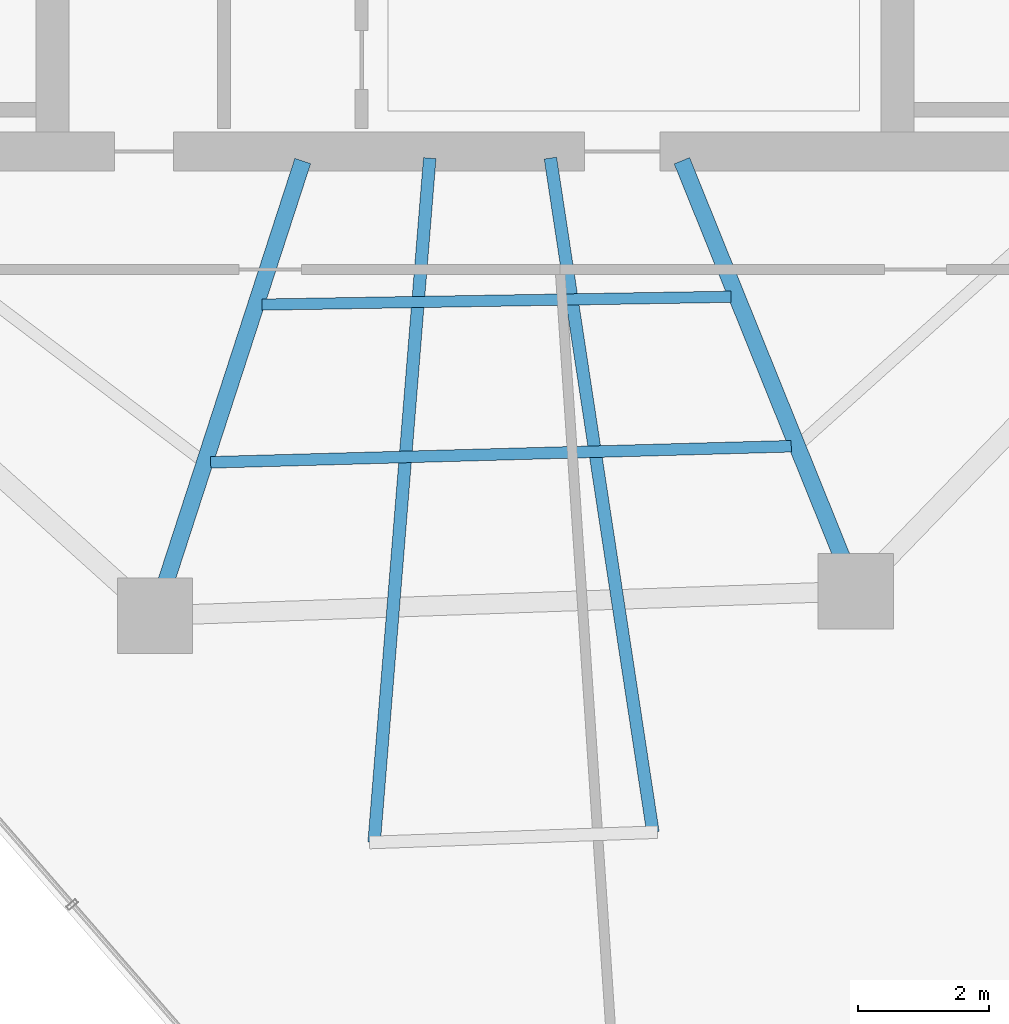
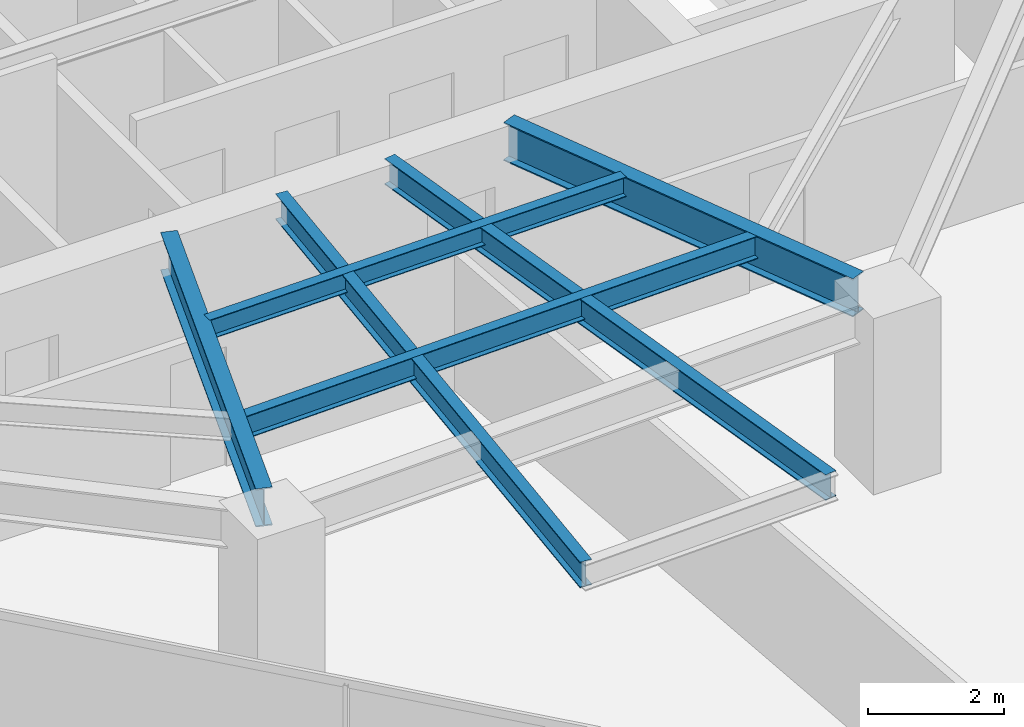
# One storey, part 6 of 27: 6 beams.
"""IFC4 building model written with IfcOpenShell, lengths in metres."""

import ifcopenshell
import ifcopenshell.guid

model = None  # the IFC model being written
_history = None  # IfcOwnerHistory: only IFC2X3 demands one
_inside = {}  # id of a spatial element -> (the spatial element, [elements in it])
_under = {}  # id of a project, library or spatial element -> (it, [spatial elements below it])
_declared = {}  # id of a project -> (the project, [libraries it declares])
_typed = {}  # id of a type object -> (the type object, [elements of that type])
_made_of = {}  # id of a material, layer set ... -> (it, [elements and type objects made of it])


def new_model(schema):
    """Start an empty IFC model of exactly this schema.

    Asked for "IFC4X3", IfcOpenShell would pick the latest addendum, in which some entities
    have other attributes; the version numbers below select the first issue.
    IFC2X3 requires an IfcOwnerHistory on every rooted entity: one is made here for all.
    """
    global model, _history
    if schema == "IFC4X3":
        model = ifcopenshell.file(schema_version=(4, 3, 0, 0))
    else:
        model = ifcopenshell.file(schema=schema)
    _inside.clear()
    _under.clear()
    _declared.clear()
    _typed.clear()
    _made_of.clear()
    _history = None
    if model.schema == "IFC2X3":
        org = make("IfcOrganization", Name="unknown")
        user = make(
            "IfcPersonAndOrganization",
            ThePerson=make("IfcPerson", FamilyName="unknown"),
            TheOrganization=org,
        )
        app = make(
            "IfcApplication",
            ApplicationDeveloper=org,
            Version="unknown",
            ApplicationFullName="unknown",
            ApplicationIdentifier="unknown",
        )
        _history = make(
            "IfcOwnerHistory",
            OwningUser=user,
            OwningApplication=app,
            ChangeAction="ADDED",
            CreationDate=0,
        )
    return model


def make(cls, **values):
    """One entity of the class cls with the attributes given. An attribute that is None is left unset."""
    return model.create_entity(
        cls, **{name: value for name, value in values.items() if value is not None}
    )


def rooted(cls, **values):
    """An entity with a GlobalId (a new one), such as an element, a storey or a relation."""
    return make(cls, GlobalId=ifcopenshell.guid.new(), OwnerHistory=_history, **values)


def si_unit(unit_type, name, prefix=None):
    """IfcSIUnit, for example si_unit("LENGTHUNIT", "METRE", prefix="MILLI")."""
    return make("IfcSIUnit", UnitType=unit_type, Prefix=prefix, Name=name)


def assignment(units):
    """IfcUnitAssignment: the units of a project."""
    return None if units is None else make("IfcUnitAssignment", Units=units)


def point(xyz):
    """IfcCartesianPoint."""
    return None if xyz is None else make("IfcCartesianPoint", Coordinates=xyz)


def direction(xyz):
    """IfcDirection."""
    return None if xyz is None else make("IfcDirection", DirectionRatios=xyz)


def frame(location, z_axis=None, x_axis=None):
    """IfcAxis2Placement3D, a coordinate frame: its origin and axes. An axis left out is left unset."""
    return make(
        "IfcAxis2Placement3D",
        Location=point(location),
        Axis=direction(z_axis),
        RefDirection=direction(x_axis),
    )


def frame_2d(location, x_axis=None):
    """IfcAxis2Placement2D, a coordinate frame in the plane: its origin and x axis."""
    return make(
        "IfcAxis2Placement2D", Location=point(location), RefDirection=direction(x_axis)
    )


def origin():
    """The frame at (0, 0, 0) with its axes left unset."""
    return frame((0.0, 0.0, 0.0))


def origin_2d():
    """The frame at (0, 0) in the plane with its x axis left unset."""
    return frame_2d((0.0, 0.0))


def place(relative_to, where):
    """IfcLocalPlacement: puts the frame where relative to a parent placement (None: the world)."""
    return make(
        "IfcLocalPlacement", PlacementRelTo=relative_to, RelativePlacement=where
    )


def context(
    kind, dimensions, precision=None, world=None, true_north=None, identifier=None
):
    """IfcGeometricRepresentationContext, for example the 3D "Model" context."""
    return make(
        "IfcGeometricRepresentationContext",
        ContextIdentifier=identifier,
        ContextType=kind,
        CoordinateSpaceDimension=dimensions,
        Precision=precision,
        WorldCoordinateSystem=world,
        TrueNorth=true_north,
    )


def subcontext(parent, identifier, kind, view, scale=None):
    """IfcGeometricRepresentationSubContext, for example "Body" below "Model"."""
    return make(
        "IfcGeometricRepresentationSubContext",
        ContextIdentifier=identifier,
        ContextType=kind,
        ParentContext=parent,
        TargetScale=scale,
        TargetView=view,
    )


def project(units=None, contexts=None):
    """IfcProject with its units and contexts."""
    return rooted(
        "IfcProject",
        Name="project",
        RepresentationContexts=contexts,
        UnitsInContext=assignment(units),
    )


def spatial(cls, under=None, at=None, **own):
    """A site, building, storey or space (cls), placed at a placement, below another one or the project."""
    s = rooted(cls, ObjectPlacement=at, **own)
    if under is not None:
        _under.setdefault(under.id(), (under, []))[1].append(s)
    return s


def profile(cls, at=None, kind="AREA", **sizes):
    """A parametric profile (cls). Its sizes go by their IFC names, for example OverallWidth=200.0."""
    return make(cls, ProfileType=kind, Position=at, **sizes)


def i_section(**sizes):
    """IfcIShapeProfileDef."""
    return profile("IfcIShapeProfileDef", **sizes)


def extrude(swept, where, along, depth):
    """IfcExtrudedAreaSolid: the profile swept, set in the frame where, extruded along a direction by depth."""
    return make(
        "IfcExtrudedAreaSolid",
        SweptArea=swept,
        Position=where,
        ExtrudedDirection=direction(along),
        Depth=depth,
    )


def shape(context_of_items, identifier, shape_type, items):
    """IfcShapeRepresentation: the items that make up one representation, for example the "Body"."""
    return make(
        "IfcShapeRepresentation",
        ContextOfItems=context_of_items,
        RepresentationIdentifier=identifier,
        RepresentationType=shape_type,
        Items=items,
    )


def material(Name=None, Category=None):
    """IfcMaterial."""
    return make("IfcMaterial", Name=Name, Category=Category)


def material_profile(
    of_material, cross_section, Name=None, Category=None, Priority=None
):
    """IfcMaterialProfile: a cross section and its material."""
    return make(
        "IfcMaterialProfile",
        Name=Name,
        Material=of_material,
        Profile=cross_section,
        Priority=Priority,
        Category=Category,
    )


def profile_set(profiles, Name=None, composite=None):
    """IfcMaterialProfileSet."""
    return make(
        "IfcMaterialProfileSet",
        Name=Name,
        MaterialProfiles=profiles,
        CompositeProfile=composite,
    )


def made_of(thing, what):
    """Note that an element or type object is made of a material, layer set ...; save() writes the relation."""
    if what is not None:
        _made_of.setdefault(what.id(), (what, []))[1].append(thing)
    return thing


def type_object(cls, material=None, **own):
    """A type object (cls), such as IfcWallType, which elements share."""
    return made_of(rooted(cls, **own), material)


def element(
    cls,
    number,
    at=None,
    inside=None,
    cuts=None,
    type_object=None,
    material=None,
    context=None,
    identifier="Body",
    shape_type=None,
    held_by="IfcProductDefinitionShape",
    body=None,
    shapes=None,
    **own,
):
    """One element of the class cls, such as IfcWall. Its Tag is "e" and its number.

    at: its placement. inside: the storey or other place that contains it. cuts: it is an
    opening in that element (IfcRelVoidsElement). A single representation is given by context,
    identifier, shape_type and body (its items); several are given by shapes. held_by: the class
    of the entity that holds the representations. save() writes the other relations.
    """
    e = rooted(cls, Tag="e%d" % number, ObjectPlacement=at, **own)
    if body is not None:
        shapes = [shape(context, identifier, shape_type, body)]
    if shapes is not None:
        e.Representation = make(held_by, Representations=shapes)
    if inside is not None:
        _inside.setdefault(inside.id(), (inside, []))[1].append(e)
    if cuts is not None:
        rooted(
            "IfcRelVoidsElement", RelatingBuildingElement=cuts, RelatedOpeningElement=e
        )
    if type_object is not None:
        _typed.setdefault(type_object.id(), (type_object, []))[1].append(e)
    return made_of(e, material)


def aggregate(whole, parts):
    """IfcRelAggregates: a whole, such as a stair, and the parts it consists of."""
    return rooted("IfcRelAggregates", RelatingObject=whole, RelatedObjects=parts)


def save(model, path):
    """Write the relations noted so far, then the file.

    IfcRelAggregates (storeys below a building ...), IfcRelContainedInSpatialStructure (elements
    in a storey), IfcRelDefinesByType, IfcRelAssociatesMaterial and IfcRelDeclares: one each for
    every whole, place, type object, material and project.
    """
    for whole, parts in _under.values():
        aggregate(whole, parts)
    for where, things in _inside.values():
        rooted(
            "IfcRelContainedInSpatialStructure",
            RelatedElements=things,
            RelatingStructure=where,
        )
    for kind, things in _typed.values():
        rooted("IfcRelDefinesByType", RelatedObjects=things, RelatingType=kind)
    for what, things in _made_of.values():
        rooted("IfcRelAssociatesMaterial", RelatedObjects=things, RelatingMaterial=what)
    for by, libraries in _declared.values():
        rooted("IfcRelDeclares", RelatingContext=by, RelatedDefinitions=libraries)
    model.write(path)


model = new_model("IFC4")

# Units and contexts
model_context = context("Model", 3, precision=1e-05, world=origin(), true_north=direction((0.0, 1.0)))
body_context = subcontext(model_context, "Body", "Model", "MODEL_VIEW")
ifc_project = project(units=[si_unit("LENGTHUNIT", "METRE"), si_unit("AREAUNIT", "SQUARE_METRE"), si_unit("VOLUMEUNIT", "CUBIC_METRE"), si_unit("PLANEANGLEUNIT", "RADIAN"), si_unit("MASSUNIT", "GRAM", prefix="KILO")], contexts=[model_context])

# Site, building, storey
site_placement = place(None, origin())
site = spatial("IfcSite", under=ifc_project, at=site_placement, CompositionType="ELEMENT")
building_placement = place(site_placement, origin())
building = spatial("IfcBuilding", under=site, at=building_placement, Name="Qarnah Convention Tower", CompositionType="ELEMENT")
storey_placement = place(building_placement, frame((0.0, 0.0, 107.39990234375)))
storey = spatial("IfcBuildingStorey", under=building, at=storey_placement, Name="L28", CompositionType="ELEMENT", Elevation=107.39990234375)

# Beams
ifc_material = material(Name="Structural steel S355JR", Category="steel")
ifc_material_profile_1 = material_profile(ifc_material, i_section(OverallWidth=0.19189453125, OverallDepth=0.464111328125, WebThickness=0.010986328125, FlangeThickness=0.01806640625, at=origin_2d()), Name="W460X89")
ifc_profile_set_1 = profile_set([ifc_material_profile_1], Name="Structural steel S355JR")
beam_type_1 = type_object("IfcBeamType", Name="BM-CANT-W460A", PredefinedType="BEAM", material=ifc_profile_set_1)
beam_1_placement = place(storey_placement, frame((38.40087890625, 18.5009765625, 2.93798828125), z_axis=(0.150335373551, -0.988635056762, 0.0), x_axis=(0.988635056762, 0.150335373551, 0.0)))
element("IfcBeam", 1, at=beam_1_placement, inside=storey, type_object=beam_type_1, Name="L28 beam BM-L28-CNT-03-1", PredefinedType="BEAM", context=body_context, shape_type="SweptSolid", body=[
    extrude(i_section(OverallWidth=0.19189453125, OverallDepth=0.464111328125, WebThickness=0.010986328125, FlangeThickness=0.01806640625, at=origin_2d()), origin(), (0.0, 0.0, 1.0), 10.411376953125),
])
beam_2_placement = place(storey_placement, frame((36.55908203125, 18.5, 2.93798828125), z_axis=(-0.081026671921, -0.996711933528, 0.0), x_axis=(0.996711933528, -0.081026671921, 0.0)))
element("IfcBeam", 2, at=beam_2_placement, inside=storey, type_object=beam_type_1, Name="L28 beam BM-L28-CNT-03-2", PredefinedType="BEAM", context=body_context, shape_type="SweptSolid", body=[
    extrude(i_section(OverallWidth=0.19189453125, OverallDepth=0.464111328125, WebThickness=0.010986328125, FlangeThickness=0.01806640625, at=origin_2d()), origin(), (0.0, 0.0, 1.0), 10.4794921875),
])
ifc_material_profile_2 = material_profile(ifc_material, i_section(OverallWidth=0.172119140625, OverallDepth=0.35595703125, WebThickness=0.007080078125, FlangeThickness=0.011962890625, at=origin_2d()), Name="W360X51")
ifc_profile_set_2 = profile_set([ifc_material_profile_2], Name="Structural steel S355JR")
beam_type_2 = type_object("IfcBeamType", Name="BM-JST-W360", PredefinedType="JOIST", material=ifc_profile_set_2)
beam_3_placement = place(storey_placement, frame((33.99609375, 16.263916015625, 2.9921875), z_axis=(0.99985934511, 0.016771702219, 0.0), x_axis=(-0.016771702219, 0.99985934511, 0.0)))
element("IfcBeam", 3, at=beam_3_placement, inside=storey, type_object=beam_type_2, Name="L28 joist BM-L28-IJST-07", PredefinedType="JOIST", context=body_context, shape_type="SweptSolid", body=[
    extrude(i_section(OverallWidth=0.172119140625, OverallDepth=0.35595703125, WebThickness=0.007080078125, FlangeThickness=0.011962890625, at=origin_2d()), origin(), (0.0, 0.0, 1.0), 7.161865234375),
])
ifc_material_profile_3 = material_profile(ifc_material, i_section(OverallWidth=0.177978515625, OverallDepth=0.407958984375, WebThickness=0.008056640625, FlangeThickness=0.012939453125, at=origin_2d()), Name="W410X60")
ifc_profile_set_3 = profile_set([ifc_material_profile_3], Name="Structural steel S355JR")
beam_type_3 = type_object("IfcBeamType", Name="BM-JST-W410", PredefinedType="JOIST", material=ifc_profile_set_3)
beam_4_placement = place(storey_placement, frame((33.214111328125, 13.85595703125, 2.966064453125), z_axis=(0.999614802667, 0.027753311328, 0.0), x_axis=(-0.027753311328, 0.999614802667, 0.0)))
element("IfcBeam", 4, at=beam_4_placement, inside=storey, type_object=beam_type_3, Name="L28 joist BM-L28-SJST-07", PredefinedType="JOIST", context=body_context, shape_type="SweptSolid", body=[
    extrude(i_section(OverallWidth=0.177978515625, OverallDepth=0.407958984375, WebThickness=0.008056640625, FlangeThickness=0.012939453125, at=origin_2d()), origin(), (0.0, 0.0, 1.0), 8.8671875),
])
ifc_material_profile_4 = material_profile(ifc_material, i_section(OverallWidth=0.25390625, OverallDepth=0.68798828125, WebThickness=0.012939453125, FlangeThickness=0.02099609375, at=origin_2d()), Name="W690X152")
ifc_profile_set_4 = profile_set([ifc_material_profile_4], Name="Structural steel S355JR")
beam_type_4 = type_object("IfcBeamType", Name="BM-RAD-W690", PredefinedType="BEAM", material=ifc_profile_set_4)
beam_5_placement = place(storey_placement, frame((34.6201171875, 18.45703125, 2.826171875), z_axis=(-0.30908279771, -0.951035132979, 0.0), x_axis=(0.951035132979, -0.30908279771, 0.0)))
element("IfcBeam", 5, at=beam_5_placement, inside=storey, type_object=beam_type_4, Name="L28 beam BM-L28-RAD-07", PredefinedType="BEAM", context=body_context, shape_type="SweptSolid", body=[
    extrude(i_section(OverallWidth=0.25390625, OverallDepth=0.68798828125, WebThickness=0.012939453125, FlangeThickness=0.02099609375, at=origin_2d()), origin(), (0.0, 0.0, 1.0), 6.7431640625),
])
beam_6_placement = place(storey_placement, frame((40.407958984375, 18.4609375, 2.826171875), z_axis=(0.374642886347, -0.927169190445, 0.0), x_axis=(0.927169190445, 0.374642886347, 0.0)))
element("IfcBeam", 6, at=beam_6_placement, inside=storey, type_object=beam_type_4, Name="L28 beam BM-L28-RAD-08", PredefinedType="BEAM", context=body_context, shape_type="SweptSolid", body=[
    extrude(i_section(OverallWidth=0.25390625, OverallDepth=0.68798828125, WebThickness=0.012939453125, FlangeThickness=0.02099609375, at=origin_2d()), origin(), (0.0, 0.0, 1.0), 6.531494140625),
])

save(model, "model.ifc")
